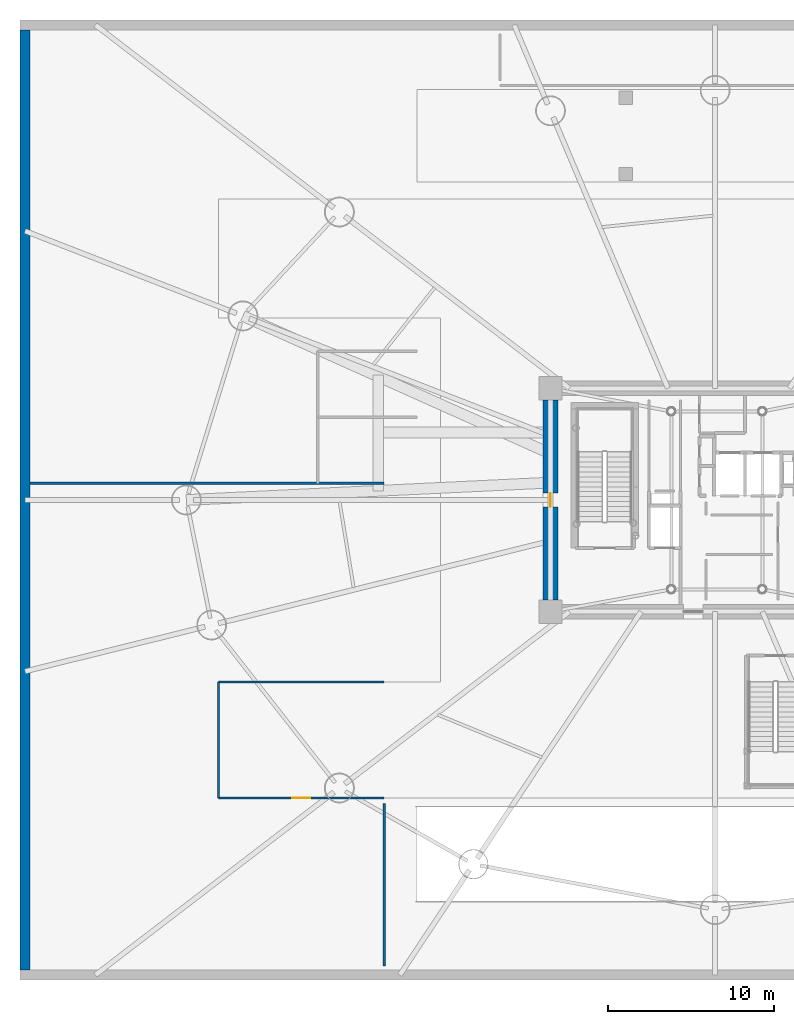
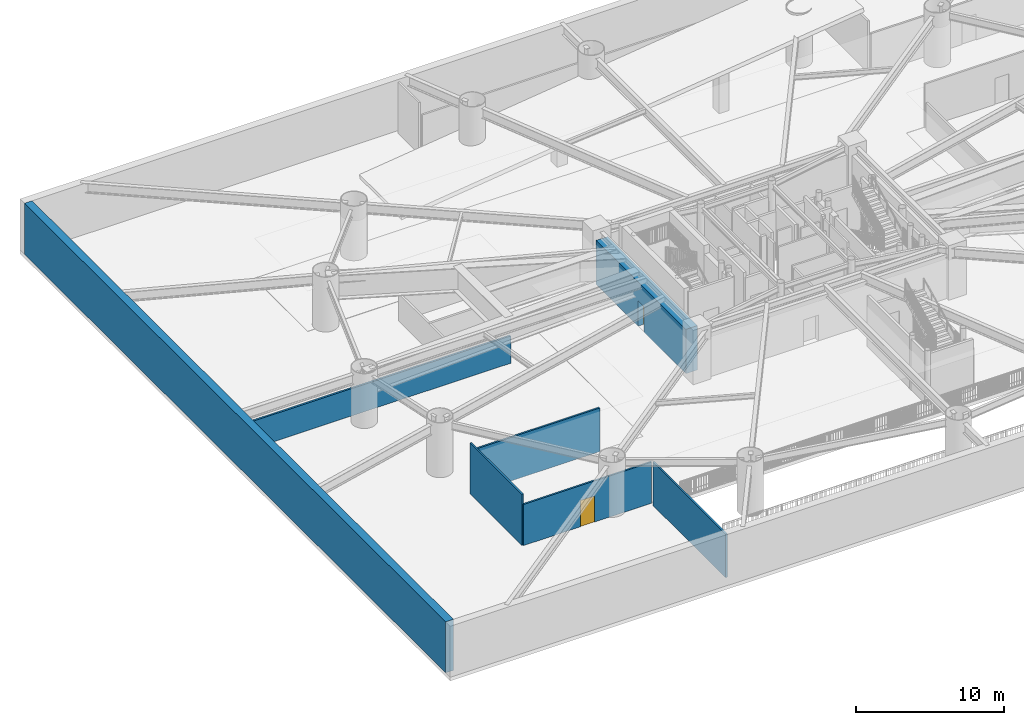
# One storey, part 8 of 21: 7 walls, 2 doors, 2 openings.
"""IFC4 building model written with IfcOpenShell, lengths in metres."""

from ifc_helpers import new_model, si_unit, direction, frame, frame_2d, origin, origin_2d, place, context, subcontext, project, spatial, rectangle, extrude, source, transform, mapped, material, layer, layer_set, type_object, element, fill, save


model = new_model("IFC4")

# Units and contexts
model_context = context("Model", 3, precision=1e-05, world=origin(), true_north=direction((0.0, 1.0)))
body_context = subcontext(model_context, "Body", "Model", "MODEL_VIEW")
ifc_project = project(units=[si_unit("LENGTHUNIT", "METRE"), si_unit("AREAUNIT", "SQUARE_METRE"), si_unit("VOLUMEUNIT", "CUBIC_METRE"), si_unit("PLANEANGLEUNIT", "RADIAN"), si_unit("MASSUNIT", "GRAM", prefix="KILO")], contexts=[model_context])

# Site, building, storey
site_placement = place(None, origin())
site = spatial("IfcSite", under=ifc_project, at=site_placement, CompositionType="ELEMENT")
building_placement = place(site_placement, origin())
building = spatial("IfcBuilding", under=site, at=building_placement, Name="Linh Dai School and Residence Tower", CompositionType="ELEMENT")
storey_placement = place(building_placement, frame((0.0, 0.0, -4.5)))
storey = spatial("IfcBuildingStorey", under=building, at=storey_placement, Name="B01", CompositionType="ELEMENT", Elevation=-4.5)

# Wall
ifc_material_1 = material(Name="Autoclaved Aerated Concrete Blockwork", Category="masonry")
ifc_layer_1 = layer(ifc_material_1, 0.135009765625)
ifc_layer_set_1 = layer_set([ifc_layer_1], Name="Autoclaved Aerated Concrete Blockwork")
wall_type_1 = type_object("IfcWallType", Name="IW-CORR-135-EI90", PredefinedType="PARTITIONING", material=ifc_layer_set_1)
wall_1_placement = place(storey_placement, frame((6.0, 9.0, 0.0), z_axis=(0.0, 0.0, 1.0), x_axis=(0.0, 1.0, 0.0)))
element("IfcWall", 1, at=wall_1_placement, inside=storey, type_object=wall_type_1, Name="B01 Interior Partition Wall 002", PredefinedType="PARTITIONING", context=body_context, shape_type="SweptSolid", body=[
    extrude(rectangle(XDim=7.0, YDim=0.135009765625, at=frame_2d((3.5, 0.0))), origin(), (0.0, 0.0, 1.0), 4.199951171875),
])

# Wall, opening, door
wall_2_placement = place(storey_placement, frame((6.0, 9.0, 0.0), z_axis=(0.0, 0.0, 1.0), x_axis=(1.0, 0.0, 0.0)))
wall_2 = element("IfcWall", 2, at=wall_2_placement, inside=storey, type_object=wall_type_1, Name="B01 Interior Partition Wall 003", PredefinedType="PARTITIONING", context=body_context, shape_type="SweptSolid", body=[
    extrude(rectangle(XDim=10.0, YDim=0.135009765625, at=frame_2d((5.0, 0.0))), origin(), (0.0, 0.0, 1.0), 3.385009765625),
])
opening_1_placement = place(wall_2_placement, frame((4.449951171875, 0.0, 0.0)))
opening_1 = element("IfcOpeningElement", 3, at=opening_1_placement, cuts=wall_2, Name="Opening D07", PredefinedType="OPENING", context=body_context, shape_type="SweptSolid", body=[
    extrude(rectangle(XDim=1.10009765625, YDim=2.14990234375, at=origin_2d()), frame((0.550048828125, 0.07763671875, 1.074951171875), z_axis=(0.0, -1.0, 0.0), x_axis=(1.0, 0.0, 0.0)), (0.0, 0.0, 1.0), 0.155029296875),
])
ifc_material_2 = material(Name="Fire-Rated Louvred Steel Plant Door", Category="steel")
door_type_1 = type_object("IfcDoorType", Name="DR-PLT-1100x2150-FD60S", OperationType="NOTDEFINED", PredefinedType="DOOR", material=ifc_material_2)
shared_shape_1 = source(origin(), body_context, "Body", "SweptSolid", [
    extrude(rectangle(XDim=1.10009765625, YDim=2.14990234375, at=origin_2d()), frame((0.550048828125, 0.02490234375, 1.074951171875), z_axis=(0.0, -1.0, 0.0), x_axis=(1.0, 0.0, 0.0)), (0.0, 0.0, 1.0), 0.050048828125),
])
door_1_placement = place(opening_1_placement, origin())
door_1 = element("IfcDoor", 4, at=door_1_placement, inside=storey, type_object=door_type_1, Name="B01 Secure School and Resident Bicycle Store (320 Racks) Door", OperationType="SINGLE_SWING_LEFT", OverallHeight=2.14990234375, OverallWidth=1.10009765625, PredefinedType="DOOR", context=body_context, shape_type="MappedRepresentation", body=[
    mapped(shared_shape_1, transform((0.0, 0.0, 0.0), x_axis=(1.0, 0.0, 0.0), y_axis=(0.0, 1.0, 0.0), z_axis=(0.0, 0.0, 1.0), scale=1.0)),
])
fill(opening_1, door_1)

# Walls
wall_3_placement = place(storey_placement, frame((6.0, 16.0, 0.0), z_axis=(0.0, 0.0, 1.0), x_axis=(1.0, 0.0, 0.0)))
element("IfcWall", 5, at=wall_3_placement, inside=storey, type_object=wall_type_1, Name="B01 Interior Partition Wall 004", PredefinedType="PARTITIONING", context=body_context, shape_type="SweptSolid", body=[
    extrude(rectangle(XDim=10.0, YDim=0.135009765625, at=frame_2d((5.0, 0.0))), origin(), (0.0, 0.0, 1.0), 3.5849609375),
])
wall_4_placement = place(storey_placement, frame((16.0, 8.672607421875, 0.0), z_axis=(0.0, 0.0, 1.0), x_axis=(0.0, -1.0, 0.0)))
element("IfcWall", 6, at=wall_4_placement, inside=storey, type_object=wall_type_1, Name="B01 Interior Partition Wall 058", PredefinedType="PARTITIONING", context=body_context, shape_type="SweptSolid", body=[
    extrude(rectangle(XDim=9.8125, YDim=0.135009765625, at=frame_2d((4.90625, 0.0))), origin(), (0.0, 0.0, 1.0), 3.5849609375),
])
ifc_layer_2 = layer(ifc_material_1, 0.14990234375)
ifc_layer_set_2 = layer_set([ifc_layer_2], Name="Autoclaved Aerated Concrete Blockwork")
wall_type_2 = type_object("IfcWallType", Name="IW-SCH-150-EI60", PredefinedType="PARTITIONING", material=ifc_layer_set_2)
wall_5_placement = place(storey_placement, frame((-5.39990234375, 28.0, 0.0), z_axis=(0.0, 0.0, 1.0), x_axis=(1.0, 0.0, 0.0)))
element("IfcWall", 7, at=wall_5_placement, inside=storey, type_object=wall_type_2, Name="B01 Interior Partition Wall 001", PredefinedType="PARTITIONING", context=body_context, shape_type="SweptSolid", body=[
    extrude(rectangle(XDim=21.39990234375, YDim=0.14990234375, at=frame_2d((10.699951171875, 0.0))), origin(), (0.0, 0.0, 1.0), 2.25),
])

# Wall, opening, door
ifc_material_3 = material(Name="Concrete B60 (C50/60)", Category="concrete")
ifc_layer_3 = layer(ifc_material_3, 0.89990234375)
ifc_layer_set_3 = layer_set([ifc_layer_3], Name="Concrete B60 (C50/60)")
wall_type_3 = type_object("IfcWallType", Name="WL-CORE900", PredefinedType="SHEAR", material=ifc_layer_set_3)
wall_6_placement = place(storey_placement, frame((26.050048828125, 20.949951171875, 0.0), z_axis=(0.0, 0.0, 1.0), x_axis=(0.0, 1.0, 0.0)))
wall_6 = element("IfcWall", 8, at=wall_6_placement, inside=storey, type_object=wall_type_3, Name="B01 Central Core Shear Wall W", PredefinedType="SHEAR", context=body_context, shape_type="SweptSolid", body=[
    extrude(rectangle(XDim=12.10009765625, YDim=0.89990234375, at=frame_2d((6.050048828125, 0.0))), origin(), (0.0, 0.0, 1.0), 3.64990234375),
])
opening_2_placement = place(wall_6_placement, frame((5.639892578125, 0.0, 0.0)))
opening_2 = element("IfcOpeningElement", 9, at=opening_2_placement, cuts=wall_6, Name="Opening D06", PredefinedType="OPENING", context=body_context, shape_type="SweptSolid", body=[
    extrude(rectangle(XDim=0.820068359375, YDim=2.10009765625, at=origin_2d()), frame((0.41015625, 0.4599609375, 1.050048828125), z_axis=(0.0, -1.0, 0.0), x_axis=(1.0, 0.0, 0.0)), (0.0, 0.0, 1.0), 0.919921875),
])
ifc_material_4 = material(Name="Moisture-Resistant Timber Bathroom Door", Category="wood")
door_type_2 = type_object("IfcDoorType", Name="DR-WET-820x2100", OperationType="NOTDEFINED", PredefinedType="DOOR", material=ifc_material_4)
shared_shape_2 = source(origin(), body_context, "Body", "SweptSolid", [
    extrude(rectangle(XDim=0.820068359375, YDim=2.10009765625, at=origin_2d()), frame((0.41015625, 0.02490234375, 1.050048828125), z_axis=(0.0, -1.0, 0.0), x_axis=(1.0, 0.0, 0.0)), (0.0, 0.0, 1.0), 0.050048828125),
])
door_2_placement = place(opening_2_placement, origin())
door_2 = element("IfcDoor", 10, at=door_2_placement, inside=storey, type_object=door_type_2, Name="B01 Firefighting Lobby Door", OperationType="SINGLE_SWING_LEFT", OverallHeight=2.10009765625, OverallWidth=0.820068359375, PredefinedType="DOOR", context=body_context, shape_type="MappedRepresentation", body=[
    mapped(shared_shape_2, transform((0.0, 0.0, 0.0), x_axis=(1.0, 0.0, 0.0), y_axis=(0.0, 1.0, 0.0), z_axis=(0.0, 0.0, 1.0), scale=1.0)),
])
fill(opening_2, door_2)

# Wall
ifc_material_5 = material(Name="Concrete B45 (C35/45)", Category="concrete")
ifc_layer_4 = layer(ifc_material_5, 0.60009765625)
ifc_layer_set_4 = layer_set([ifc_layer_4], Name="Concrete B45 (C35/45)")
wall_type_4 = type_object("IfcWallType", Name="WL-RET600", PredefinedType="SHEAR", material=ifc_layer_set_4)
wall_7_placement = place(storey_placement, frame((-5.699951171875, -1.39990234375, 0.0), z_axis=(0.0, 0.0, 1.0), x_axis=(0.0, 1.0, 0.0)))
element("IfcWall", 11, at=wall_7_placement, inside=storey, type_object=wall_type_4, Name="B01 Basement Perimeter Retaining Wall W", PredefinedType="SHEAR", context=body_context, shape_type="SweptSolid", body=[
    extrude(rectangle(XDim=56.7998046875, YDim=0.60009765625, at=frame_2d((28.39990234375, 0.0))), origin(), (0.0, 0.0, 1.0), 4.199951171875),
])

save(model, "model.ifc")
